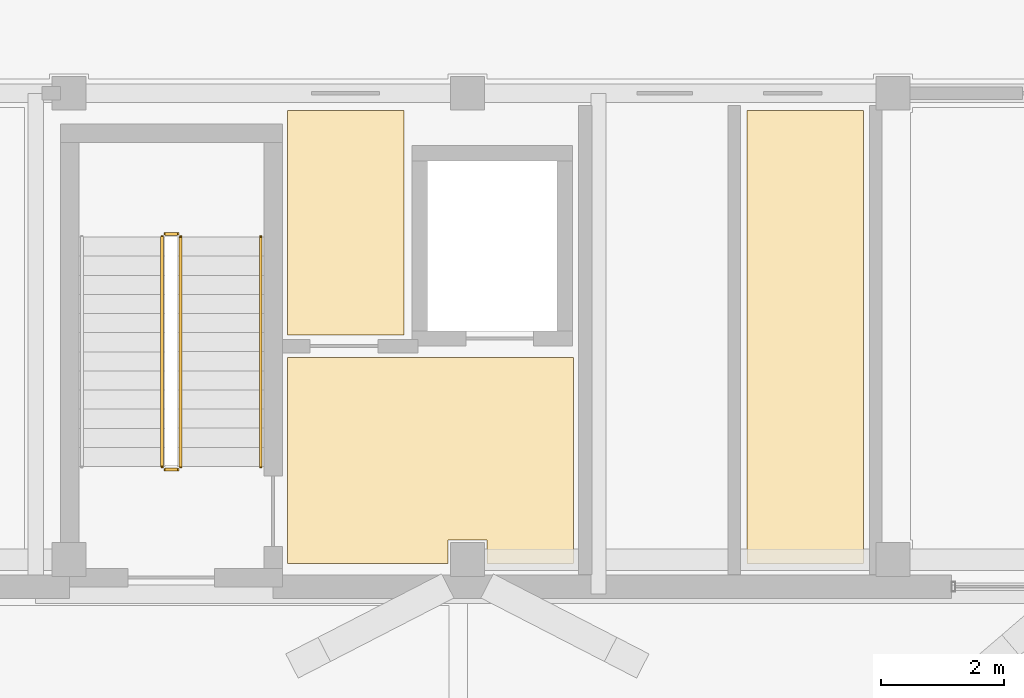
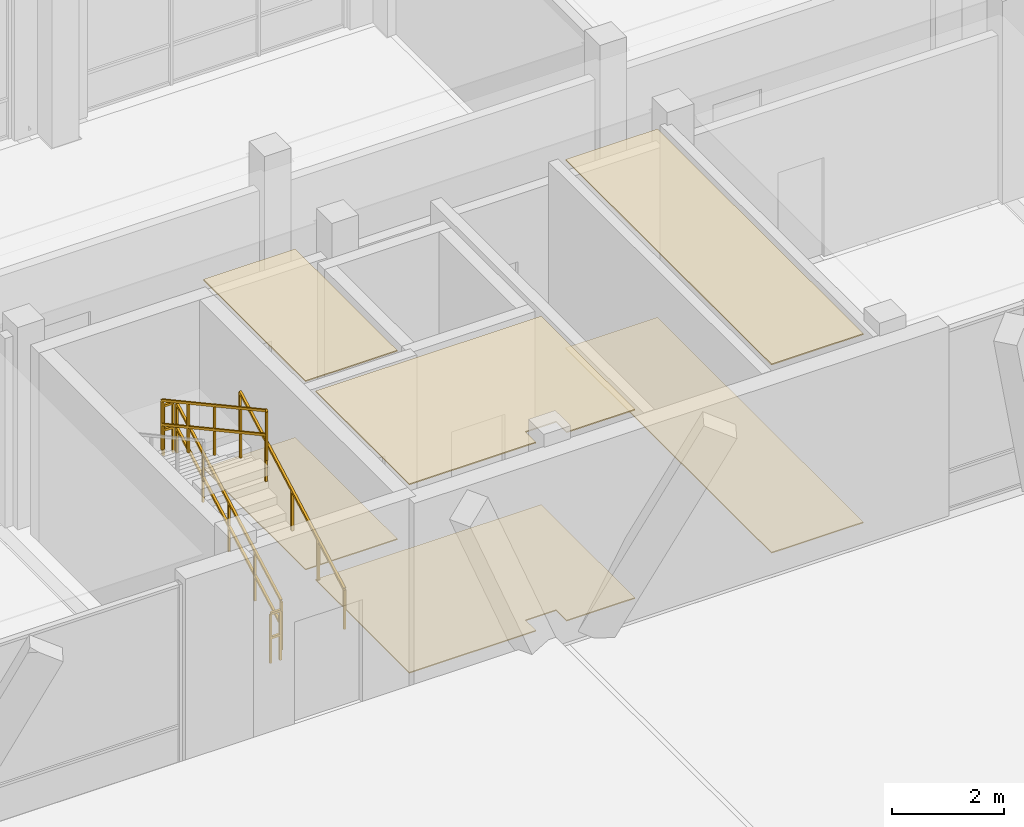
# One storey, part 231 of 233: 6 coverings, 5 railings.
"""IFC4 building model written with IfcOpenShell, lengths in metres."""

import ifcopenshell
import ifcopenshell.guid

model = None  # the IFC model being written
_history = None  # IfcOwnerHistory: only IFC2X3 demands one
_inside = {}  # id of a spatial element -> (the spatial element, [elements in it])
_under = {}  # id of a project, library or spatial element -> (it, [spatial elements below it])
_declared = {}  # id of a project -> (the project, [libraries it declares])
_typed = {}  # id of a type object -> (the type object, [elements of that type])
_made_of = {}  # id of a material, layer set ... -> (it, [elements and type objects made of it])


def new_model(schema):
    """Start an empty IFC model of exactly this schema.

    Asked for "IFC4X3", IfcOpenShell would pick the latest addendum, in which some entities
    have other attributes; the version numbers below select the first issue.
    IFC2X3 requires an IfcOwnerHistory on every rooted entity: one is made here for all.
    """
    global model, _history
    if schema == "IFC4X3":
        model = ifcopenshell.file(schema_version=(4, 3, 0, 0))
    else:
        model = ifcopenshell.file(schema=schema)
    _inside.clear()
    _under.clear()
    _declared.clear()
    _typed.clear()
    _made_of.clear()
    _history = None
    if model.schema == "IFC2X3":
        org = make("IfcOrganization", Name="unknown")
        user = make(
            "IfcPersonAndOrganization",
            ThePerson=make("IfcPerson", FamilyName="unknown"),
            TheOrganization=org,
        )
        app = make(
            "IfcApplication",
            ApplicationDeveloper=org,
            Version="unknown",
            ApplicationFullName="unknown",
            ApplicationIdentifier="unknown",
        )
        _history = make(
            "IfcOwnerHistory",
            OwningUser=user,
            OwningApplication=app,
            ChangeAction="ADDED",
            CreationDate=0,
        )
    return model


def make(cls, **values):
    """One entity of the class cls with the attributes given. An attribute that is None is left unset."""
    return model.create_entity(
        cls, **{name: value for name, value in values.items() if value is not None}
    )


def rooted(cls, **values):
    """An entity with a GlobalId (a new one), such as an element, a storey or a relation."""
    return make(cls, GlobalId=ifcopenshell.guid.new(), OwnerHistory=_history, **values)


def si_unit(unit_type, name, prefix=None):
    """IfcSIUnit, for example si_unit("LENGTHUNIT", "METRE", prefix="MILLI")."""
    return make("IfcSIUnit", UnitType=unit_type, Prefix=prefix, Name=name)


def assignment(units):
    """IfcUnitAssignment: the units of a project."""
    return None if units is None else make("IfcUnitAssignment", Units=units)


def point(xyz):
    """IfcCartesianPoint."""
    return None if xyz is None else make("IfcCartesianPoint", Coordinates=xyz)


def direction(xyz):
    """IfcDirection."""
    return None if xyz is None else make("IfcDirection", DirectionRatios=xyz)


def frame(location, z_axis=None, x_axis=None):
    """IfcAxis2Placement3D, a coordinate frame: its origin and axes. An axis left out is left unset."""
    return make(
        "IfcAxis2Placement3D",
        Location=point(location),
        Axis=direction(z_axis),
        RefDirection=direction(x_axis),
    )


def frame_2d(location, x_axis=None):
    """IfcAxis2Placement2D, a coordinate frame in the plane: its origin and x axis."""
    return make(
        "IfcAxis2Placement2D", Location=point(location), RefDirection=direction(x_axis)
    )


def origin():
    """The frame at (0, 0, 0) with its axes left unset."""
    return frame((0.0, 0.0, 0.0))


def origin_2d():
    """The frame at (0, 0) in the plane with its x axis left unset."""
    return frame_2d((0.0, 0.0))


def place(relative_to, where):
    """IfcLocalPlacement: puts the frame where relative to a parent placement (None: the world)."""
    return make(
        "IfcLocalPlacement", PlacementRelTo=relative_to, RelativePlacement=where
    )


def context(
    kind, dimensions, precision=None, world=None, true_north=None, identifier=None
):
    """IfcGeometricRepresentationContext, for example the 3D "Model" context."""
    return make(
        "IfcGeometricRepresentationContext",
        ContextIdentifier=identifier,
        ContextType=kind,
        CoordinateSpaceDimension=dimensions,
        Precision=precision,
        WorldCoordinateSystem=world,
        TrueNorth=true_north,
    )


def subcontext(parent, identifier, kind, view, scale=None):
    """IfcGeometricRepresentationSubContext, for example "Body" below "Model"."""
    return make(
        "IfcGeometricRepresentationSubContext",
        ContextIdentifier=identifier,
        ContextType=kind,
        ParentContext=parent,
        TargetScale=scale,
        TargetView=view,
    )


def project(units=None, contexts=None):
    """IfcProject with its units and contexts."""
    return rooted(
        "IfcProject",
        Name="project",
        RepresentationContexts=contexts,
        UnitsInContext=assignment(units),
    )


def spatial(cls, under=None, at=None, **own):
    """A site, building, storey or space (cls), placed at a placement, below another one or the project."""
    s = rooted(cls, ObjectPlacement=at, **own)
    if under is not None:
        _under.setdefault(under.id(), (under, []))[1].append(s)
    return s


def polyline(points):
    """IfcPolyline through the points."""
    return make("IfcPolyline", Points=[point(p) for p in points])


def profile(cls, at=None, kind="AREA", **sizes):
    """A parametric profile (cls). Its sizes go by their IFC names, for example OverallWidth=200.0."""
    return make(cls, ProfileType=kind, Position=at, **sizes)


def rectangle(**sizes):
    """IfcRectangleProfileDef."""
    return profile("IfcRectangleProfileDef", **sizes)


def outline(outer, holes=None, kind="AREA"):
    """IfcArbitraryClosedProfileDef: a profile drawn as a closed curve; with holes, ...WithVoids."""
    if holes is None:
        return make("IfcArbitraryClosedProfileDef", ProfileType=kind, OuterCurve=outer)
    return make(
        "IfcArbitraryProfileDefWithVoids",
        ProfileType=kind,
        OuterCurve=outer,
        InnerCurves=holes,
    )


def extrude(swept, where, along, depth):
    """IfcExtrudedAreaSolid: the profile swept, set in the frame where, extruded along a direction by depth."""
    return make(
        "IfcExtrudedAreaSolid",
        SweptArea=swept,
        Position=where,
        ExtrudedDirection=direction(along),
        Depth=depth,
    )


def shape(context_of_items, identifier, shape_type, items):
    """IfcShapeRepresentation: the items that make up one representation, for example the "Body"."""
    return make(
        "IfcShapeRepresentation",
        ContextOfItems=context_of_items,
        RepresentationIdentifier=identifier,
        RepresentationType=shape_type,
        Items=items,
    )


def material(Name=None, Category=None):
    """IfcMaterial."""
    return make("IfcMaterial", Name=Name, Category=Category)


def layer(
    of_material, thickness, ventilated=None, Name=None, Category=None, Priority=None
):
    """IfcMaterialLayer: one layer of a wall or slab, of a material (None: an air gap)."""
    return make(
        "IfcMaterialLayer",
        Material=of_material,
        LayerThickness=thickness,
        IsVentilated=ventilated,
        Name=Name,
        Category=Category,
        Priority=Priority,
    )


def layer_set(layers, Name=None):
    """IfcMaterialLayerSet."""
    return make("IfcMaterialLayerSet", MaterialLayers=layers, LayerSetName=Name)


def made_of(thing, what):
    """Note that an element or type object is made of a material, layer set ...; save() writes the relation."""
    if what is not None:
        _made_of.setdefault(what.id(), (what, []))[1].append(thing)
    return thing


def type_object(cls, material=None, **own):
    """A type object (cls), such as IfcWallType, which elements share."""
    return made_of(rooted(cls, **own), material)


def element(
    cls,
    number,
    at=None,
    inside=None,
    cuts=None,
    type_object=None,
    material=None,
    context=None,
    identifier="Body",
    shape_type=None,
    held_by="IfcProductDefinitionShape",
    body=None,
    shapes=None,
    **own,
):
    """One element of the class cls, such as IfcWall. Its Tag is "e" and its number.

    at: its placement. inside: the storey or other place that contains it. cuts: it is an
    opening in that element (IfcRelVoidsElement). A single representation is given by context,
    identifier, shape_type and body (its items); several are given by shapes. held_by: the class
    of the entity that holds the representations. save() writes the other relations.
    """
    e = rooted(cls, Tag="e%d" % number, ObjectPlacement=at, **own)
    if body is not None:
        shapes = [shape(context, identifier, shape_type, body)]
    if shapes is not None:
        e.Representation = make(held_by, Representations=shapes)
    if inside is not None:
        _inside.setdefault(inside.id(), (inside, []))[1].append(e)
    if cuts is not None:
        rooted(
            "IfcRelVoidsElement", RelatingBuildingElement=cuts, RelatedOpeningElement=e
        )
    if type_object is not None:
        _typed.setdefault(type_object.id(), (type_object, []))[1].append(e)
    return made_of(e, material)


def aggregate(whole, parts):
    """IfcRelAggregates: a whole, such as a stair, and the parts it consists of."""
    return rooted("IfcRelAggregates", RelatingObject=whole, RelatedObjects=parts)


def save(model, path):
    """Write the relations noted so far, then the file.

    IfcRelAggregates (storeys below a building ...), IfcRelContainedInSpatialStructure (elements
    in a storey), IfcRelDefinesByType, IfcRelAssociatesMaterial and IfcRelDeclares: one each for
    every whole, place, type object, material and project.
    """
    for whole, parts in _under.values():
        aggregate(whole, parts)
    for where, things in _inside.values():
        rooted(
            "IfcRelContainedInSpatialStructure",
            RelatedElements=things,
            RelatingStructure=where,
        )
    for kind, things in _typed.values():
        rooted("IfcRelDefinesByType", RelatedObjects=things, RelatingType=kind)
    for what, things in _made_of.values():
        rooted("IfcRelAssociatesMaterial", RelatedObjects=things, RelatingMaterial=what)
    for by, libraries in _declared.values():
        rooted("IfcRelDeclares", RelatingContext=by, RelatedDefinitions=libraries)
    model.write(path)


model = new_model("IFC4")

# Units and contexts
model_context = context("Model", 3, precision=1e-05, world=origin(), true_north=direction((0.0, 1.0)))
body_context = subcontext(model_context, "Body", "Model", "MODEL_VIEW")
ifc_project = project(units=[si_unit("LENGTHUNIT", "METRE"), si_unit("AREAUNIT", "SQUARE_METRE"), si_unit("VOLUMEUNIT", "CUBIC_METRE"), si_unit("PLANEANGLEUNIT", "RADIAN"), si_unit("MASSUNIT", "GRAM", prefix="KILO")], contexts=[model_context])

# Site, building, storey
site_placement = place(None, origin())
site = spatial("IfcSite", under=ifc_project, at=site_placement, CompositionType="ELEMENT")
building_placement = place(site_placement, origin())
building = spatial("IfcBuilding", under=site, at=building_placement, Name="Zavelmont Quarter", CompositionType="ELEMENT")
storey_placement = place(building_placement, origin())
storey = spatial("IfcBuildingStorey", under=building, at=storey_placement, Name="L00", CompositionType="ELEMENT", Elevation=0.0)

# Coverings
ifc_material_1 = material(Name="Perforated acoustic gypsum board")
ifc_layer_1 = layer(ifc_material_1, 0.02490234375)
ifc_layer_set_1 = layer_set([ifc_layer_1], Name="Perforated acoustic gypsum board")
covering_type_1 = type_object("IfcCoveringType", Name="CV-CL01", PredefinedType="CEILING", material=ifc_layer_set_1)
covering_1_placement = place(storey_placement, frame((0.0, 0.0, 4.094970703125)))
element("IfcCovering", 1, at=covering_1_placement, inside=storey, type_object=covering_type_1, Name="L00 Firefighting Lobby acoustic ceiling", PredefinedType="CEILING", context=body_context, shape_type="SweptSolid", body=[
    extrude(outline(polyline([(130.580078125, 101.320068359375), (135.219970703125, 101.320068359375), (135.219970703125, 97.97998046875), (133.81494140625, 97.97998046875), (133.81494140625, 98.35498046875), (133.18505859375, 98.35498046875), (133.18505859375, 97.97998046875), (130.580078125, 97.97998046875), (130.580078125, 101.320068359375)])), origin(), (0.0, 0.0, 1.0), 0.025146484375),
])
covering_2_placement = place(storey_placement, frame((0.0, 0.0, 4.094970703125)))
element("IfcCovering", 2, at=covering_2_placement, inside=storey, type_object=covering_type_1, Name="L00 Lobby Vestibule acoustic ceiling", PredefinedType="CEILING", context=body_context, shape_type="SweptSolid", body=[
    extrude(outline(polyline([(130.580078125, 105.320068359375), (132.469970703125, 105.320068359375), (132.469970703125, 101.679931640625), (130.580078125, 101.679931640625), (130.580078125, 105.320068359375)])), origin(), (0.0, 0.0, 1.0), 0.025146484375),
])
covering_3_placement = place(storey_placement, frame((0.0, 0.0, 4.094970703125)))
element("IfcCovering", 3, at=covering_3_placement, inside=storey, type_object=covering_type_1, Name="L00 Refuse Chute Room acoustic ceiling", PredefinedType="CEILING", context=body_context, shape_type="SweptSolid", body=[
    extrude(outline(polyline([(138.030029296875, 105.320068359375), (139.919921875, 105.320068359375), (139.919921875, 97.97998046875), (138.030029296875, 97.97998046875), (138.030029296875, 105.320068359375)])), origin(), (0.0, 0.0, 1.0), 0.025146484375),
])
ifc_material_2 = material(Name="Engineered European oak parquet")
ifc_layer_2 = layer(ifc_material_2, 0.02197265625)
ifc_layer_set_2 = layer_set([ifc_layer_2], Name="Engineered European oak parquet")
covering_type_2 = type_object("IfcCoveringType", Name="CV-FL01", PredefinedType="FLOORING", material=ifc_layer_set_2)
covering_4_placement = place(storey_placement, origin())
element("IfcCovering", 4, at=covering_4_placement, inside=storey, type_object=covering_type_2, Name="L00 Firefighting Lobby floor finish", PredefinedType="FLOORING", context=body_context, shape_type="SweptSolid", body=[
    extrude(outline(polyline([(130.580078125, 101.320068359375), (135.219970703125, 101.320068359375), (135.219970703125, 97.97998046875), (133.81494140625, 97.97998046875), (133.81494140625, 98.35498046875), (133.18505859375, 98.35498046875), (133.18505859375, 97.97998046875), (130.580078125, 97.97998046875), (130.580078125, 101.320068359375)])), origin(), (0.0, 0.0, 1.0), 0.02197265625),
])
covering_5_placement = place(storey_placement, origin())
element("IfcCovering", 5, at=covering_5_placement, inside=storey, type_object=covering_type_2, Name="L00 Lobby Vestibule floor finish", PredefinedType="FLOORING", context=body_context, shape_type="SweptSolid", body=[
    extrude(outline(polyline([(130.580078125, 105.320068359375), (132.469970703125, 105.320068359375), (132.469970703125, 101.679931640625), (130.580078125, 101.679931640625), (130.580078125, 105.320068359375)])), origin(), (0.0, 0.0, 1.0), 0.02197265625),
])
covering_6_placement = place(storey_placement, origin())
element("IfcCovering", 6, at=covering_6_placement, inside=storey, type_object=covering_type_2, Name="L00 Refuse Chute Room floor finish", PredefinedType="FLOORING", context=body_context, shape_type="SweptSolid", body=[
    extrude(outline(polyline([(138.030029296875, 105.320068359375), (139.919921875, 105.320068359375), (139.919921875, 97.97998046875), (138.030029296875, 97.97998046875), (138.030029296875, 105.320068359375)])), origin(), (0.0, 0.0, 1.0), 0.02197265625),
])

# Railings
ifc_material_3 = material(Name="Powder-coated steel stair guardrail", Category="steel")
railing_type_1 = type_object("IfcRailingType", Name="RL-GRD1", PredefinedType="GUARDRAIL", material=ifc_material_3)
railing_1_placement = place(storey_placement, frame((128.85009765625, 99.550048828125, 0.169189453125)))
element("IfcRailing", 7, at=railing_1_placement, inside=storey, type_object=railing_type_1, Name="L00 ST05 stair guardrail 1", PredefinedType="GUARDRAIL", context=body_context, shape_type="SweptSolid", body=[
    extrude(rectangle(XDim=0.048095703125, YDim=0.048095703125, at=origin_2d()), frame((0.0, 0.0, 1.076171875), z_axis=(0.0, 0.877728207833, 0.479158839191), x_axis=(-1.0, 0.0, 0.0)), (0.0, 0.0, 1.0), 4.23828125),
    extrude(rectangle(XDim=0.048095703125, YDim=0.048095703125, at=origin_2d()), frame((0.0, 0.0, 0.550048828125), z_axis=(0.0, 0.877728207833, 0.479158839191), x_axis=(-1.0, 0.0, 0.0)), (0.0, 0.0, 1.0), 4.23828125),
    extrude(rectangle(XDim=0.0419921875, YDim=0.0419921875, at=origin_2d()), origin(), (0.0, 0.0, 1.0), 1.052001953125),
    extrude(rectangle(XDim=0.0419921875, YDim=0.0419921875, at=origin_2d()), frame((0.0, 0.929931640625, 0.5078125)), (0.0, 0.0, 1.0), 1.052001953125),
    extrude(rectangle(XDim=0.0419921875, YDim=0.0419921875, at=origin_2d()), frame((0.0, 1.85986328125, 1.015380859375)), (0.0, 0.0, 1.0), 1.052001953125),
    extrude(rectangle(XDim=0.0419921875, YDim=0.0419921875, at=origin_2d()), frame((0.0, 2.7900390625, 1.52294921875)), (0.0, 0.0, 1.0), 1.052001953125),
    extrude(rectangle(XDim=0.0419921875, YDim=0.0419921875, at=origin_2d()), frame((0.0, 3.719970703125, 2.03076171875)), (0.0, 0.0, 1.0), 1.052001953125),
])
railing_2_placement = place(storey_placement, frame((128.800048828125, 103.320068359375, 2.199951171875)))
element("IfcRailing", 8, at=railing_2_placement, inside=storey, type_object=railing_type_1, Name="L00 ST05 stair guardrail 2", PredefinedType="GUARDRAIL", context=body_context, shape_type="SweptSolid", body=[
    extrude(rectangle(XDim=0.048095703125, YDim=0.048095703125, at=origin_2d()), frame((0.0, 0.0, 1.076171875), z_axis=(-1.0, 0.0, 0.0), x_axis=(0.0, -1.0, 0.0)), (0.0, 0.0, 1.0), 0.199951171875),
    extrude(rectangle(XDim=0.048095703125, YDim=0.048095703125, at=origin_2d()), frame((0.0, 0.0, 0.550048828125), z_axis=(-1.0, 0.0, 0.0), x_axis=(0.0, -1.0, 0.0)), (0.0, 0.0, 1.0), 0.199951171875),
    extrude(rectangle(XDim=0.0419921875, YDim=0.0419921875, at=origin_2d()), origin(), (0.0, 0.0, 1.0), 1.052001953125),
    extrude(rectangle(XDim=0.0419921875, YDim=0.0419921875, at=origin_2d()), frame((-0.199951171875, 0.0, 0.0)), (0.0, 0.0, 1.0), 1.052001953125),
])
railing_3_placement = place(storey_placement, frame((128.550048828125, 103.27001953125, 2.369140625)))
element("IfcRailing", 9, at=railing_3_placement, inside=storey, type_object=railing_type_1, Name="L00 ST05 stair guardrail 3", PredefinedType="GUARDRAIL", context=body_context, shape_type="SweptSolid", body=[
    extrude(rectangle(XDim=0.048095703125, YDim=0.048095703125, at=origin_2d()), frame((0.0, 0.0, 1.076171875), z_axis=(0.0, -0.877728207833, 0.479158839191), x_axis=(1.0, 0.0, 0.0)), (0.0, 0.0, 1.0), 4.23828125),
    extrude(rectangle(XDim=0.048095703125, YDim=0.048095703125, at=origin_2d()), frame((0.0, 0.0, 0.550048828125), z_axis=(0.0, -0.877728207833, 0.479158839191), x_axis=(1.0, 0.0, 0.0)), (0.0, 0.0, 1.0), 4.23828125),
    extrude(rectangle(XDim=0.0419921875, YDim=0.0419921875, at=origin_2d()), origin(), (0.0, 0.0, 1.0), 1.052001953125),
    extrude(rectangle(XDim=0.0419921875, YDim=0.0419921875, at=origin_2d()), frame((0.0, -0.929931640625, 0.5078125)), (0.0, 0.0, 1.0), 1.052001953125),
    extrude(rectangle(XDim=0.0419921875, YDim=0.0419921875, at=origin_2d()), frame((0.0, -1.85986328125, 1.015380859375)), (0.0, 0.0, 1.0), 1.052001953125),
    extrude(rectangle(XDim=0.0419921875, YDim=0.0419921875, at=origin_2d()), frame((0.0, -2.7900390625, 1.52294921875)), (0.0, 0.0, 1.0), 1.052001953125),
    extrude(rectangle(XDim=0.0419921875, YDim=0.0419921875, at=origin_2d()), frame((0.0, -3.719970703125, 2.03076171875)), (0.0, 0.0, 1.0), 1.052001953125),
])
railing_4_placement = place(storey_placement, frame((128.800048828125, 99.5, 0.0)))
element("IfcRailing", 10, at=railing_4_placement, inside=storey, type_object=railing_type_1, Name="L00 ST05 stair guardrail 4", PredefinedType="GUARDRAIL", context=body_context, shape_type="SweptSolid", body=[
    extrude(rectangle(XDim=0.048095703125, YDim=0.048095703125, at=origin_2d()), frame((0.0, 0.0, 1.076171875), z_axis=(-1.0, 0.0, 0.0), x_axis=(0.0, -1.0, 0.0)), (0.0, 0.0, 1.0), 0.199951171875),
    extrude(rectangle(XDim=0.048095703125, YDim=0.048095703125, at=origin_2d()), frame((0.0, 0.0, 0.550048828125), z_axis=(-1.0, 0.0, 0.0), x_axis=(0.0, -1.0, 0.0)), (0.0, 0.0, 1.0), 0.199951171875),
    extrude(rectangle(XDim=0.0419921875, YDim=0.0419921875, at=origin_2d()), origin(), (0.0, 0.0, 1.0), 1.052001953125),
    extrude(rectangle(XDim=0.0419921875, YDim=0.0419921875, at=origin_2d()), frame((-0.199951171875, 0.0, 0.0)), (0.0, 0.0, 1.0), 1.052001953125),
])
ifc_material_4 = material(Name="Brushed stainless-steel wall handrail", Category="steel")
railing_type_2 = type_object("IfcRailingType", Name="RL-HND1", PredefinedType="HANDRAIL", material=ifc_material_4)
railing_5_placement = place(storey_placement, frame((130.14990234375, 99.550048828125, 0.169189453125)))
element("IfcRailing", 11, at=railing_5_placement, inside=storey, type_object=railing_type_2, Name="L00 ST05 stair handrail 1", PredefinedType="HANDRAIL", context=body_context, shape_type="SweptSolid", body=[
    extrude(rectangle(XDim=0.048095703125, YDim=0.048095703125, at=origin_2d()), frame((0.0, 0.0, 0.8759765625), z_axis=(0.0, 0.877728207833, 0.479158839191), x_axis=(-1.0, 0.0, 0.0)), (0.0, 0.0, 1.0), 4.23828125),
    extrude(rectangle(XDim=0.0419921875, YDim=0.0419921875, at=origin_2d()), origin(), (0.0, 0.0, 1.0), 0.851806640625),
    extrude(rectangle(XDim=0.0419921875, YDim=0.0419921875, at=origin_2d()), frame((0.0, 0.929931640625, 0.5078125)), (0.0, 0.0, 1.0), 0.851806640625),
    extrude(rectangle(XDim=0.0419921875, YDim=0.0419921875, at=origin_2d()), frame((0.0, 1.85986328125, 1.015380859375)), (0.0, 0.0, 1.0), 0.851806640625),
    extrude(rectangle(XDim=0.0419921875, YDim=0.0419921875, at=origin_2d()), frame((0.0, 2.7900390625, 1.52294921875)), (0.0, 0.0, 1.0), 0.851806640625),
    extrude(rectangle(XDim=0.0419921875, YDim=0.0419921875, at=origin_2d()), frame((0.0, 3.719970703125, 2.03076171875)), (0.0, 0.0, 1.0), 0.851806640625),
])

save(model, "model.ifc")
